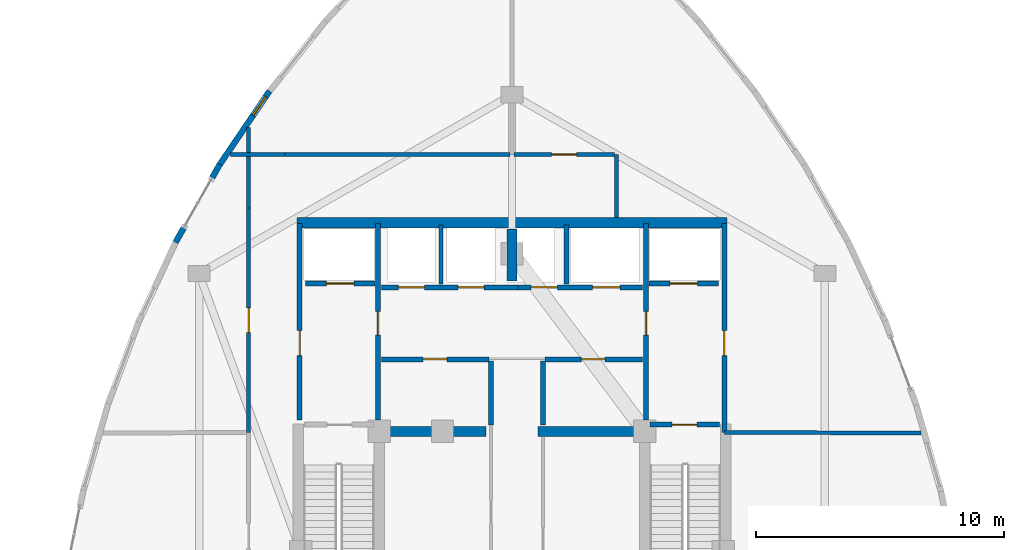
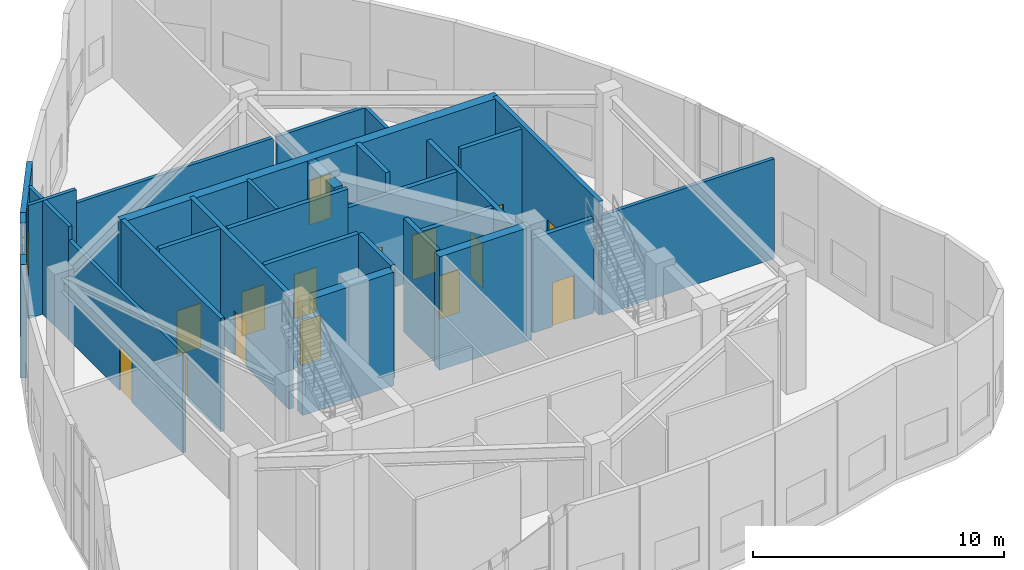
# One storey, part 13 of 16: 29 walls, 15 doors, 1 window, 16 openings.
"""IFC4 building model written with IfcOpenShell, lengths in metres."""

from ifc_helpers import new_model, si_unit, direction, frame, frame_2d, origin, place, context, subcontext, project, spatial, rectangle, extrude, material, layer, layer_set, type_object, element, fill, save


model = new_model("IFC4")

# Units and contexts
model_context = context("Model", 3, precision=1e-05, world=origin(), true_north=direction((0.0, 1.0)))
body_context = subcontext(model_context, "Body", "Model", "MODEL_VIEW")
ifc_project = project(units=[si_unit("LENGTHUNIT", "METRE"), si_unit("AREAUNIT", "SQUARE_METRE"), si_unit("VOLUMEUNIT", "CUBIC_METRE"), si_unit("PLANEANGLEUNIT", "RADIAN"), si_unit("MASSUNIT", "GRAM", prefix="KILO")], contexts=[model_context])

# Site, building, storey
site_placement = place(None, origin())
site = spatial("IfcSite", under=ifc_project, at=site_placement, CompositionType="ELEMENT")
building_placement = place(site_placement, origin())
building = spatial("IfcBuilding", under=site, at=building_placement, Name="Miruveldt Soraemaru", CompositionType="ELEMENT")
storey_placement = place(building_placement, frame((0.0, 0.0, 289.60009765625)))
storey = spatial("IfcBuildingStorey", under=building, at=storey_placement, Name="L78", CompositionType="ELEMENT", Elevation=289.60009765625)

# Walls
ifc_material_1 = material(Name="Concrete C70/85 (70 MPa)", Category="concrete")
ifc_layer_1 = layer(ifc_material_1, 0.5, Name="Concrete C70/85 (70 MPa)", Category="concrete")
ifc_layer_set_1 = layer_set([ifc_layer_1], Name="Concrete C70/85 (70 MPa)")
wall_type_1 = type_object("IfcWallType", Name="WALL-BW-500", PredefinedType="SHEAR", material=ifc_layer_set_1)
wall_1_placement = place(storey_placement, frame((44.0, 50.10009765625, 0.0), z_axis=(0.0, 0.0, 1.0), x_axis=(0.0, 1.0, 0.0)))
element("IfcWall", 1, at=wall_1_placement, inside=storey, type_object=wall_type_1, Name="L78 Core Buttress Shear Wall BN", PredefinedType="SHEAR", context=body_context, shape_type="SweptSolid", body=[
    extrude(rectangle(XDim=2.099853515625, YDim=0.39990234375, at=frame_2d((1.0498046875, 0.0))), origin(), (0.0, 0.0, 1.0), 5.510009765625),
])
for number, where, z_axis, x_axis, name in (
    (2, (38.75, 44.050048828125, 0.0), (0.0, 0.0, 1.0), (1.0, 0.0, 0.0), "L78 Core Buttress Shear Wall BW"),
    (3, (45.050048828125, 44.050048828125, 0.0), (0.0, 0.0, 1.0), (1.0, 0.0, 0.0), "L78 Core Buttress Shear Wall BE"),
):
    element("IfcWall", number, at=place(storey_placement, frame(where, z_axis=z_axis, x_axis=x_axis)), inside=storey, type_object=wall_type_1, Name=name, PredefinedType="SHEAR", context=body_context, shape_type="SweptSolid", body=[
        extrude(rectangle(XDim=4.199951171875, YDim=0.39990234375, at=frame_2d((2.10009765625, 0.0))), origin(), (0.0, 0.0, 1.0), 5.510009765625),
    ])
ifc_material_2 = material(Name="Concrete C50/60 (50 MPa)", Category="concrete")
ifc_layer_2 = layer(ifc_material_2, 0.419921875, Name="Concrete C50/60 (50 MPa)", Category="concrete")
ifc_layer_set_2 = layer_set([ifc_layer_2], Name="Concrete C50/60 (50 MPa)")
wall_type_2 = type_object("IfcWallType", Name="WALL-CW-420", PredefinedType="SHEAR", material=ifc_layer_set_2)
wall_2_placement = place(storey_placement, frame((35.35009765625, 52.449951171875, 0.0), z_axis=(0.0, 0.0, 1.0), x_axis=(1.0, 0.0, 0.0)))
element("IfcWall", 4, at=wall_2_placement, inside=storey, type_object=wall_type_2, Name="L78 Central Core Shear Wall N", PredefinedType="SHEAR", context=body_context, shape_type="SweptSolid", body=[
    extrude(rectangle(XDim=17.2998046875, YDim=0.419921875, at=frame_2d((8.64990234375, 0.0))), origin(), (0.0, 0.0, 1.0), 5.510009765625),
])

# Wall, opening, window
ifc_material_3 = material(Name="Precast concrete C45/55 (45 MPa)", Category="concrete")
ifc_layer_3 = layer(ifc_material_3, 0.239990234375, Name="Precast concrete C45/55 (45 MPa)", Category="concrete")
ifc_layer_set_3 = layer_set([ifc_layer_3], Name="Precast concrete C45/55 (45 MPa)")
wall_type_3 = type_object("IfcWallType", Name="WALL-EXT-PC240", PredefinedType="SOLIDWALL", material=ifc_layer_set_3)
wall_3_placement = place(storey_placement, frame((34.235595703125, 57.75, 0.0), z_axis=(0.0, 0.0, 1.0), x_axis=(-0.560836268371, -0.827926735937, 0.0)))
wall_3 = element("IfcWall", 5, at=wall_3_placement, inside=storey, type_object=wall_type_3, Name="L78 Precast Concrete Facade Wall 9", PredefinedType="SOLIDWALL", context=body_context, shape_type="SweptSolid", body=[
    extrude(rectangle(XDim=3.63623046875, YDim=0.239990234375, at=frame_2d((1.818115234375, 0.0))), origin(), (0.0, 0.0, 1.0), 5.510009765625),
])
opening_1_placement = place(wall_3_placement, frame((0.27392578125, 0.0, 0.780029296875)))
opening_1 = element("IfcOpeningElement", 6, at=opening_1_placement, cuts=wall_3, Name="Opening WN-7", PredefinedType="OPENING", context=body_context, shape_type="SweptSolid", body=[
    extrude(rectangle(XDim=0.89990234375, YDim=1.5, at=frame_2d((0.449951171875, 0.75))), frame((0.0, 0.1298828125, 0.0), z_axis=(0.0, -1.0, 0.0), x_axis=(1.0, 0.0, 0.0)), (0.0, 0.0, 1.0), 0.260009765625),
])
ifc_material_4 = material(Name="Triple low-e insulated glazing", Category="glass")
window_type = type_object("IfcWindowType", Name="WIN-PUNCH-900x1500", PartitioningType="SINGLE_PANEL", PredefinedType="WINDOW", material=ifc_material_4)
window_placement = place(opening_1_placement, origin())
window = element("IfcWindow", 7, at=window_placement, inside=storey, type_object=window_type, Name="L78 Punched Triple-Glazed Window 09.1", OverallHeight=1.5, OverallWidth=0.89990234375, PartitioningType="SINGLE_PANEL", PredefinedType="WINDOW", context=body_context, shape_type="SweptSolid", body=[
    extrude(rectangle(XDim=0.89990234375, YDim=1.5, at=frame_2d((0.449951171875, 0.75))), frame((0.0, 0.030029296875, 0.0), z_axis=(0.0, -1.0, 0.0), x_axis=(1.0, 0.0, 0.0)), (0.0, 0.0, 1.0), 0.06005859375),
])
fill(opening_1, window)

# Walls
wall_4_placement = place(storey_placement, frame((32.233154296875, 54.799072265625, 0.0), z_axis=(0.0, 0.0, 1.0), x_axis=(-0.493152373132, -0.869942950356, 0.0)))
element("IfcWall", 8, at=wall_4_placement, inside=storey, type_object=wall_type_3, Name="L78 Precast Pier Left 10", PredefinedType="SOLIDWALL", context=body_context, shape_type="SweptSolid", body=[
    extrude(rectangle(XDim=0.705078125, YDim=0.239990234375, at=frame_2d((0.3525390625, 0.0))), origin(), (0.0, 0.0, 1.0), 5.510009765625),
])
wall_5_placement = place(storey_placement, frame((30.818603515625, 52.30517578125, 0.0), z_axis=(0.0, 0.0, 1.0), x_axis=(-0.493317939961, -0.86984907318, 0.0)))
element("IfcWall", 9, at=wall_5_placement, inside=storey, type_object=wall_type_3, Name="L78 Precast Pier Right 10", PredefinedType="SOLIDWALL", context=body_context, shape_type="SweptSolid", body=[
    extrude(rectangle(XDim=0.746337890625, YDim=0.239990234375, at=frame_2d((0.373046875, 0.0))), origin(), (0.0, 0.0, 1.0), 5.510009765625),
])

# Wall, opening, door
ifc_material_5 = material(Name="Concrete C40/50 (40 MPa)", Category="concrete")
ifc_layer_4 = layer(ifc_material_5, 0.159912109375, Name="Concrete C40/50 (40 MPa)", Category="concrete")
ifc_layer_set_4 = layer_set([ifc_layer_4], Name="Concrete C40/50 (40 MPa)")
wall_type_4 = type_object("IfcWallType", Name="WALL-INT-RC160", PredefinedType="SOLIDWALL", material=ifc_layer_set_4)
wall_6_placement = place(storey_placement, frame((33.39990234375, 53.050048828125, 0.0), z_axis=(0.0, 0.0, 1.0), x_axis=(0.0, -1.0, 0.0)))
wall_6 = element("IfcWall", 10, at=wall_6_placement, inside=storey, type_object=wall_type_4, Name="L78 Partition Wall 15", PredefinedType="SOLIDWALL", context=body_context, shape_type="SweptSolid", body=[
    extrude(rectangle(XDim=9.050048828125, YDim=0.159912109375, at=frame_2d((4.52490234375, 0.0))), origin(), (0.0, 0.0, 1.0), 4.847900390625),
])
opening_2_placement = place(wall_6_placement, frame((4.02490234375, 0.0, 0.0)))
opening_2 = element("IfcOpeningElement", 11, at=opening_2_placement, cuts=wall_6, Name="Opening FD2A", PredefinedType="OPENING", context=body_context, shape_type="SweptSolid", body=[
    extrude(rectangle(XDim=1.0, YDim=2.14990234375, at=frame_2d((0.5, 1.074951171875))), frame((0.0, 0.08984375, 0.0), z_axis=(0.0, -1.0, 0.0), x_axis=(1.0, 0.0, 0.0)), (0.0, 0.0, 1.0), 0.179931640625),
])
ifc_material_6 = material(Name="Anodised aluminium EN AW-6063 T6", Category="aluminium")
door_type_1 = type_object("IfcDoorType", Name="DOOR-FD2-1000", OperationType="NOTDEFINED", PredefinedType="DOOR", material=ifc_material_6)
door_1_placement = place(opening_2_placement, origin())
door_1 = element("IfcDoor", 12, at=door_1_placement, inside=storey, type_object=door_type_1, Name="L78 West Bay Exhibition Salon Door", OperationType="SINGLE_SWING_RIGHT", OverallHeight=2.14990234375, OverallWidth=1.0, PredefinedType="DOOR", context=body_context, shape_type="SweptSolid", body=[
    extrude(rectangle(XDim=1.0, YDim=2.14990234375, at=frame_2d((0.5, 1.074951171875))), frame((0.0, 0.02490234375, 0.0), z_axis=(0.0, -1.0, 0.0), x_axis=(1.0, 0.0, 0.0)), (0.0, 0.0, 1.0), 0.050048828125),
])
fill(opening_2, door_1)

wall_7_placement = place(storey_placement, frame((48.1201171875, 55.199951171875, 0.0), z_axis=(0.0, 0.0, 1.0), x_axis=(-1.0, 0.0, 0.0)))
wall_7 = element("IfcWall", 13, at=wall_7_placement, inside=storey, type_object=wall_type_4, Name="L78 Partition Wall 17", PredefinedType="SOLIDWALL", context=body_context, shape_type="SweptSolid", body=[
    extrude(rectangle(XDim=4.0400390625, YDim=0.159912109375, at=frame_2d((2.02001953125, 0.0))), origin(), (0.0, 0.0, 1.0), 4.847900390625),
])
opening_3_placement = place(wall_7_placement, frame((1.52001953125, 0.0, 0.0)))
opening_3 = element("IfcOpeningElement", 14, at=opening_3_placement, cuts=wall_7, Name="Opening FD2A", PredefinedType="OPENING", context=body_context, shape_type="SweptSolid", body=[
    extrude(rectangle(XDim=1.0, YDim=2.14990234375, at=frame_2d((0.5, 1.074951171875))), frame((0.0, 0.08984375, 0.0), z_axis=(0.0, -1.0, 0.0), x_axis=(1.0, 0.0, 0.0)), (0.0, 0.0, 1.0), 0.179931640625),
])
door_2_placement = place(opening_3_placement, origin())
door_2 = element("IfcDoor", 15, at=door_2_placement, inside=storey, type_object=door_type_1, Name="L78 North Lookout Interpretation Room Door", OperationType="SINGLE_SWING_LEFT", OverallHeight=2.14990234375, OverallWidth=1.0, PredefinedType="DOOR", context=body_context, shape_type="SweptSolid", body=[
    extrude(rectangle(XDim=1.0, YDim=2.14990234375, at=frame_2d((0.5, 1.074951171875))), frame((0.0, 0.02490234375, 0.0), z_axis=(0.0, -1.0, 0.0), x_axis=(1.0, 0.0, 0.0)), (0.0, 0.0, 1.0), 0.050048828125),
])
fill(opening_3, door_2)

# Walls
wall_8_placement = place(storey_placement, frame((43.919921875, 55.199951171875, 0.0), z_axis=(0.0, 0.0, 1.0), x_axis=(-1.0, 0.0, 0.0)))
element("IfcWall", 16, at=wall_8_placement, inside=storey, type_object=wall_type_4, Name="L78 Partition Wall 12", PredefinedType="SOLIDWALL", context=body_context, shape_type="SweptSolid", body=[
    extrude(rectangle(XDim=9.0498046875, YDim=0.159912109375, at=frame_2d((4.52490234375, 0.0))), origin(), (0.0, 0.0, 1.0), 4.847900390625),
])
wall_9_placement = place(storey_placement, frame((60.4609375, 43.985107421875, 0.0), z_axis=(0.0, 0.0, 1.0), x_axis=(-0.999997925631, 0.002036844215, 0.0)))
element("IfcWall", 17, at=wall_9_placement, inside=storey, type_object=wall_type_4, Name="L78 Partition Wall 26", PredefinedType="SOLIDWALL", context=body_context, shape_type="SweptSolid", body=[
    extrude(rectangle(XDim=7.910888671875, YDim=0.159912109375, at=frame_2d((3.95556640625, 0.0))), origin(), (0.0, 0.0, 1.0), 4.847900390625),
])
wall_10_placement = place(storey_placement, frame((33.39990234375, 56.27587890625, 0.0), z_axis=(0.0, 0.0, 1.0), x_axis=(0.0, -1.0, 0.0)))
element("IfcWall", 18, at=wall_10_placement, inside=storey, type_object=wall_type_4, Name="L78 Partition Wall 14", PredefinedType="SOLIDWALL", context=body_context, shape_type="SweptSolid", body=[
    extrude(rectangle(XDim=3.225830078125, YDim=0.159912109375, at=frame_2d((1.61279296875, 0.0))), origin(), (0.0, 0.0, 1.0), 5.510009765625),
])
wall_11_placement = place(storey_placement, frame((48.199951171875, 52.656005859375, 0.0), z_axis=(0.0, 0.0, 1.0), x_axis=(0.0, 1.0, 0.0)))
element("IfcWall", 19, at=wall_11_placement, inside=storey, type_object=wall_type_4, Name="L78 Partition Wall 16", PredefinedType="SOLIDWALL", context=body_context, shape_type="SweptSolid", body=[
    extrude(rectangle(XDim=2.5439453125, YDim=0.159912109375, at=frame_2d((1.27197265625, 0.0))), origin(), (0.0, 0.0, 1.0), 4.847900390625),
])
wall_12_placement = place(storey_placement, frame((41.14990234375, 49.97998046875, 0.0), z_axis=(0.0, 0.0, 1.0), x_axis=(0.0, 1.0, 0.0)))
element("IfcWall", 20, at=wall_12_placement, inside=storey, type_object=wall_type_4, Name="L78 Core Compartment Wall PLH-DIV1", PredefinedType="SOLIDWALL", context=body_context, shape_type="SweptSolid", body=[
    extrude(rectangle(XDim=2.3701171875, YDim=0.159912109375, at=frame_2d((1.18505859375, 0.0))), origin(), (0.0, 0.0, 1.0), 5.510009765625),
])
wall_13_placement = place(storey_placement, frame((34.8701171875, 55.199951171875, 0.0), z_axis=(0.0, 0.0, 1.0), x_axis=(-1.0, 0.0, 0.0)))
element("IfcWall", 21, at=wall_13_placement, inside=storey, type_object=wall_type_4, Name="L78 Partition Wall 13", PredefinedType="SOLIDWALL", context=body_context, shape_type="SweptSolid", body=[
    extrude(rectangle(XDim=2.19921875, YDim=0.159912109375, at=frame_2d((1.099609375, 0.0))), origin(), (0.0, 0.0, 1.0), 5.510009765625),
])

# Wall, opening, door
ifc_layer_5 = layer(ifc_material_5, 0.199951171875, Name="Concrete C40/50 (40 MPa)", Category="concrete")
ifc_layer_set_5 = layer_set([ifc_layer_5], Name="Concrete C40/50 (40 MPa)")
wall_type_5 = type_object("IfcWallType", Name="WALL-INT-RC200", PredefinedType="SOLIDWALL", material=ifc_layer_set_5)
wall_14_placement = place(storey_placement, frame((52.550048828125, 44.001220703125, 0.0), z_axis=(0.0, 0.0, 1.0), x_axis=(0.0, 1.0, 0.0)))
wall_14 = element("IfcWall", 22, at=wall_14_placement, inside=storey, type_object=wall_type_5, Name="L78 Core Compartment Wall FFE-OUT", PredefinedType="SOLIDWALL", context=body_context, shape_type="SweptSolid", body=[
    extrude(rectangle(XDim=8.418701171875, YDim=0.199951171875, at=frame_2d((4.20947265625, 0.0))), origin(), (0.0, 0.0, 1.0), 5.510009765625),
])
opening_4_placement = place(wall_14_placement, frame((3.09912109375, 0.0, 0.0)))
opening_4 = element("IfcOpeningElement", 23, at=opening_4_placement, cuts=wall_14, Name="Opening FD1", PredefinedType="OPENING", context=body_context, shape_type="SweptSolid", body=[
    extrude(rectangle(XDim=1.0, YDim=2.14990234375, at=frame_2d((0.5, 1.074951171875))), frame((0.0, 0.10986328125, 0.0), z_axis=(0.0, -1.0, 0.0), x_axis=(1.0, 0.0, 0.0)), (0.0, 0.0, 1.0), 0.219970703125),
])
door_type_2 = type_object("IfcDoorType", Name="DOOR-FD1-1000", OperationType="NOTDEFINED", PredefinedType="DOOR", material=ifc_material_6)
door_3_placement = place(opening_4_placement, frame((1.0, 0.0, 0.0), z_axis=(0.0, 0.0, 1.0), x_axis=(-1.0, 0.0, 0.0)))
door_3 = element("IfcDoor", 24, at=door_3_placement, inside=storey, type_object=door_type_2, Name="L78 East Firefighting Lobby Exit Door", OperationType="SINGLE_SWING_RIGHT", OverallHeight=2.14990234375, OverallWidth=1.0, PredefinedType="DOOR", context=body_context, shape_type="SweptSolid", body=[
    extrude(rectangle(XDim=1.0, YDim=2.14990234375, at=frame_2d((0.5, 1.074951171875))), frame((0.0, 0.02490234375, 0.0), z_axis=(0.0, -1.0, 0.0), x_axis=(1.0, 0.0, 0.0)), (0.0, 0.0, 1.0), 0.050048828125),
])
fill(opening_4, door_3)

wall_15_placement = place(storey_placement, frame((35.449951171875, 44.5, 0.0), z_axis=(0.0, 0.0, 1.0), x_axis=(0.0, 1.0, 0.0)))
wall_15 = element("IfcWall", 25, at=wall_15_placement, inside=storey, type_object=wall_type_5, Name="L78 Core Compartment Wall FFW-OUT", PredefinedType="SOLIDWALL", context=body_context, shape_type="SweptSolid", body=[
    extrude(rectangle(XDim=7.919921875, YDim=0.199951171875, at=frame_2d((3.9599609375, 0.0))), origin(), (0.0, 0.0, 1.0), 5.510009765625),
])
opening_5_placement = place(wall_15_placement, frame((2.60009765625, 0.0, 0.0)))
opening_5 = element("IfcOpeningElement", 26, at=opening_5_placement, cuts=wall_15, Name="Opening FD1", PredefinedType="OPENING", context=body_context, shape_type="SweptSolid", body=[
    extrude(rectangle(XDim=1.0, YDim=2.14990234375, at=frame_2d((0.5, 1.074951171875))), frame((0.0, 0.10986328125, 0.0), z_axis=(0.0, -1.0, 0.0), x_axis=(1.0, 0.0, 0.0)), (0.0, 0.0, 1.0), 0.219970703125),
])
door_4_placement = place(opening_5_placement, origin())
door_4 = element("IfcDoor", 27, at=door_4_placement, inside=storey, type_object=door_type_2, Name="L78 West Firefighting Lobby Exit Door", OperationType="SINGLE_SWING_LEFT", OverallHeight=2.14990234375, OverallWidth=1.0, PredefinedType="DOOR", context=body_context, shape_type="SweptSolid", body=[
    extrude(rectangle(XDim=1.0, YDim=2.14990234375, at=frame_2d((0.5, 1.074951171875))), frame((0.0, 0.02490234375, 0.0), z_axis=(0.0, -1.0, 0.0), x_axis=(1.0, 0.0, 0.0)), (0.0, 0.0, 1.0), 0.050048828125),
])
fill(opening_5, door_4)

wall_16_placement = place(storey_placement, frame((38.60009765625, 44.5, 0.0), z_axis=(0.0, 0.0, 1.0), x_axis=(0.0, 1.0, 0.0)))
wall_16 = element("IfcWall", 28, at=wall_16_placement, inside=storey, type_object=wall_type_5, Name="L78 Core Compartment Wall FFW-IN", PredefinedType="SOLIDWALL", context=body_context, shape_type="SweptSolid", body=[
    extrude(rectangle(XDim=7.919921875, YDim=0.199951171875, at=frame_2d((3.9599609375, 0.0))), origin(), (0.0, 0.0, 1.0), 5.510009765625),
])
opening_6_placement = place(wall_16_placement, frame((3.425048828125, 0.0, 0.0)))
opening_6 = element("IfcOpeningElement", 29, at=opening_6_placement, cuts=wall_16, Name="Opening FD2", PredefinedType="OPENING", context=body_context, shape_type="SweptSolid", body=[
    extrude(rectangle(XDim=0.949951171875, YDim=2.14990234375, at=frame_2d((0.47509765625, 1.074951171875))), frame((0.0, 0.10986328125, 0.0), z_axis=(0.0, -1.0, 0.0), x_axis=(1.0, 0.0, 0.0)), (0.0, 0.0, 1.0), 0.219970703125),
])
door_type_3 = type_object("IfcDoorType", Name="DOOR-FD2-950", OperationType="NOTDEFINED", PredefinedType="DOOR", material=ifc_material_6)
door_5_placement = place(opening_6_placement, frame((0.949951171875, 0.0, 0.0), z_axis=(0.0, 0.0, 1.0), x_axis=(-1.0, 0.0, 0.0)))
door_5 = element("IfcDoor", 30, at=door_5_placement, inside=storey, type_object=door_type_3, Name="L78 Lift Lobby to West Fire Lobby Door", OperationType="SINGLE_SWING_RIGHT", OverallHeight=2.14990234375, OverallWidth=0.949951171875, PredefinedType="DOOR", context=body_context, shape_type="SweptSolid", body=[
    extrude(rectangle(XDim=0.949951171875, YDim=2.14990234375, at=frame_2d((0.47509765625, 1.074951171875))), frame((0.0, 0.02490234375, 0.0), z_axis=(0.0, -1.0, 0.0), x_axis=(1.0, 0.0, 0.0)), (0.0, 0.0, 1.0), 0.050048828125),
])
fill(opening_6, door_5)

wall_17_placement = place(storey_placement, frame((49.39990234375, 44.5, 0.0), z_axis=(0.0, 0.0, 1.0), x_axis=(0.0, 1.0, 0.0)))
wall_17 = element("IfcWall", 31, at=wall_17_placement, inside=storey, type_object=wall_type_5, Name="L78 Core Compartment Wall FFE-IN", PredefinedType="SOLIDWALL", context=body_context, shape_type="SweptSolid", body=[
    extrude(rectangle(XDim=7.919921875, YDim=0.199951171875, at=frame_2d((3.9599609375, 0.0))), origin(), (0.0, 0.0, 1.0), 4.597900390625),
])
opening_7_placement = place(wall_17_placement, frame((3.425048828125, 0.0, 0.0)))
opening_7 = element("IfcOpeningElement", 32, at=opening_7_placement, cuts=wall_17, Name="Opening FD2", PredefinedType="OPENING", context=body_context, shape_type="SweptSolid", body=[
    extrude(rectangle(XDim=0.949951171875, YDim=2.14990234375, at=frame_2d((0.47509765625, 1.074951171875))), frame((0.0, 0.10986328125, 0.0), z_axis=(0.0, -1.0, 0.0), x_axis=(1.0, 0.0, 0.0)), (0.0, 0.0, 1.0), 0.219970703125),
])
door_6_placement = place(opening_7_placement, origin())
door_6 = element("IfcDoor", 33, at=door_6_placement, inside=storey, type_object=door_type_3, Name="L78 Lift Lobby to East Fire Lobby Door", OperationType="SINGLE_SWING_LEFT", OverallHeight=2.14990234375, OverallWidth=0.949951171875, PredefinedType="DOOR", context=body_context, shape_type="SweptSolid", body=[
    extrude(rectangle(XDim=0.949951171875, YDim=2.14990234375, at=frame_2d((0.47509765625, 1.074951171875))), frame((0.0, 0.02490234375, 0.0), z_axis=(0.0, -1.0, 0.0), x_axis=(1.0, 0.0, 0.0)), (0.0, 0.0, 1.0), 0.050048828125),
])
fill(opening_7, door_6)

# Wall, openings, doors
wall_18_placement = place(storey_placement, frame((38.75, 49.85009765625, 0.0), z_axis=(0.0, 0.0, 1.0), x_axis=(1.0, 0.0, 0.0)))
wall_18 = element("IfcWall", 34, at=wall_18_placement, inside=storey, type_object=wall_type_5, Name="L78 Core Compartment Wall ROWA-SW", PredefinedType="SOLIDWALL", context=body_context, shape_type="SweptSolid", body=[
    extrude(rectangle(XDim=5.5, YDim=0.199951171875, at=frame_2d((2.75, 0.0))), origin(), (0.0, 0.0, 1.0), 5.510009765625),
])
opening_8_placement = place(wall_18_placement, frame((0.675048828125, 0.0, 0.0)))
opening_8 = element("IfcOpeningElement", 35, at=opening_8_placement, cuts=wall_18, Name="Opening LD1", PredefinedType="OPENING", context=body_context, shape_type="SweptSolid", body=[
    extrude(rectangle(XDim=1.050048828125, YDim=2.14990234375, at=frame_2d((0.52490234375, 1.074951171875))), frame((0.0, 0.10986328125, 0.0), z_axis=(0.0, -1.0, 0.0), x_axis=(1.0, 0.0, 0.0)), (0.0, 0.0, 1.0), 0.219970703125),
])
opening_9_placement = place(wall_18_placement, frame((3.074951171875, 0.0, 0.0)))
opening_9 = element("IfcOpeningElement", 36, at=opening_9_placement, cuts=wall_18, Name="Opening LD1", PredefinedType="OPENING", context=body_context, shape_type="SweptSolid", body=[
    extrude(rectangle(XDim=1.050048828125, YDim=2.14990234375, at=frame_2d((0.52490234375, 1.074951171875))), frame((0.0, 0.10986328125, 0.0), z_axis=(0.0, -1.0, 0.0), x_axis=(1.0, 0.0, 0.0)), (0.0, 0.0, 1.0), 0.219970703125),
])
door_type_4 = type_object("IfcDoorType", Name="DOOR-LD1-1050", OperationType="SLIDING_TO_LEFT", PredefinedType="DOOR", material=ifc_material_6)
door_7_placement = place(opening_8_placement, origin())
door_7 = element("IfcDoor", 37, at=door_7_placement, inside=storey, type_object=door_type_4, Name="L78 PL-H1 Landing Door", OperationType="SLIDING_TO_LEFT", OverallHeight=2.14990234375, OverallWidth=1.050048828125, PredefinedType="DOOR", context=body_context, shape_type="SweptSolid", body=[
    extrude(rectangle(XDim=1.050048828125, YDim=2.14990234375, at=frame_2d((0.52490234375, 1.074951171875))), frame((0.0, 0.02490234375, 0.0), z_axis=(0.0, -1.0, 0.0), x_axis=(1.0, 0.0, 0.0)), (0.0, 0.0, 1.0), 0.050048828125),
])
fill(opening_8, door_7)
door_8_placement = place(opening_9_placement, origin())
door_8 = element("IfcDoor", 38, at=door_8_placement, inside=storey, type_object=door_type_4, Name="L78 PL-H2 Landing Door", OperationType="SLIDING_TO_LEFT", OverallHeight=2.14990234375, OverallWidth=1.050048828125, PredefinedType="DOOR", context=body_context, shape_type="SweptSolid", body=[
    extrude(rectangle(XDim=1.050048828125, YDim=2.14990234375, at=frame_2d((0.52490234375, 1.074951171875))), frame((0.0, 0.02490234375, 0.0), z_axis=(0.0, -1.0, 0.0), x_axis=(1.0, 0.0, 0.0)), (0.0, 0.0, 1.0), 0.050048828125),
])
fill(opening_9, door_8)

wall_19_placement = place(storey_placement, frame((44.25, 49.85009765625, 0.0), z_axis=(0.0, 0.0, 1.0), x_axis=(1.0, 0.0, 0.0)))
wall_19 = element("IfcWall", 39, at=wall_19_placement, inside=storey, type_object=wall_type_5, Name="L78 Core Compartment Wall ROWA-SE", PredefinedType="SOLIDWALL", context=body_context, shape_type="SweptSolid", body=[
    extrude(rectangle(XDim=5.0, YDim=0.199951171875, at=frame_2d((2.5, 0.0))), origin(), (0.0, 0.0, 1.0), 4.597900390625),
])
opening_10_placement = place(wall_19_placement, frame((0.52490234375, 0.0, 0.0)))
opening_10 = element("IfcOpeningElement", 40, at=opening_10_placement, cuts=wall_19, Name="Opening LD1", PredefinedType="OPENING", context=body_context, shape_type="SweptSolid", body=[
    extrude(rectangle(XDim=1.050048828125, YDim=2.14990234375, at=frame_2d((0.52490234375, 1.074951171875))), frame((0.0, 0.10986328125, 0.0), z_axis=(0.0, -1.0, 0.0), x_axis=(1.0, 0.0, 0.0)), (0.0, 0.0, 1.0), 0.219970703125),
])
opening_11_placement = place(wall_19_placement, frame((3.0, 0.0, 0.0)))
opening_11 = element("IfcOpeningElement", 41, at=opening_11_placement, cuts=wall_19, Name="Opening LD2", PredefinedType="OPENING", context=body_context, shape_type="SweptSolid", body=[
    extrude(rectangle(XDim=1.10009765625, YDim=2.14990234375, at=frame_2d((0.550048828125, 1.074951171875))), frame((0.0, 0.10986328125, 0.0), z_axis=(0.0, -1.0, 0.0), x_axis=(1.0, 0.0, 0.0)), (0.0, 0.0, 1.0), 0.219970703125),
])
door_9_placement = place(opening_10_placement, origin())
door_9 = element("IfcDoor", 42, at=door_9_placement, inside=storey, type_object=door_type_4, Name="L78 PL-H3 Landing Door", OperationType="SLIDING_TO_LEFT", OverallHeight=2.14990234375, OverallWidth=1.050048828125, PredefinedType="DOOR", context=body_context, shape_type="SweptSolid", body=[
    extrude(rectangle(XDim=1.050048828125, YDim=2.14990234375, at=frame_2d((0.52490234375, 1.074951171875))), frame((0.0, 0.02490234375, 0.0), z_axis=(0.0, -1.0, 0.0), x_axis=(1.0, 0.0, 0.0)), (0.0, 0.0, 1.0), 0.050048828125),
])
fill(opening_10, door_9)
door_type_5 = type_object("IfcDoorType", Name="DOOR-LD2-1100", OperationType="SLIDING_TO_LEFT", PredefinedType="DOOR", material=ifc_material_6)
door_10_placement = place(opening_11_placement, origin())
door_10 = element("IfcDoor", 43, at=door_10_placement, inside=storey, type_object=door_type_5, Name="L78 SL-1 Landing Door", OperationType="SLIDING_TO_LEFT", OverallHeight=2.14990234375, OverallWidth=1.10009765625, PredefinedType="DOOR", context=body_context, shape_type="SweptSolid", body=[
    extrude(rectangle(XDim=1.10009765625, YDim=2.14990234375, at=frame_2d((0.550048828125, 1.074951171875))), frame((0.0, 0.02490234375, 0.0), z_axis=(0.0, -1.0, 0.0), x_axis=(1.0, 0.0, 0.0)), (0.0, 0.0, 1.0), 0.050048828125),
])
fill(opening_11, door_10)

# Wall, opening, door
wall_20_placement = place(storey_placement, frame((38.75, 46.949951171875, 0.0), z_axis=(0.0, 0.0, 1.0), x_axis=(1.0, 0.0, 0.0)))
wall_20 = element("IfcWall", 44, at=wall_20_placement, inside=storey, type_object=wall_type_5, Name="L78 Core Compartment Wall MBW-N", PredefinedType="SOLIDWALL", context=body_context, shape_type="SweptSolid", body=[
    extrude(rectangle(XDim=4.330078125, YDim=0.199951171875, at=frame_2d((2.1650390625, 0.0))), origin(), (0.0, 0.0, 1.0), 5.510009765625),
])
opening_12_placement = place(wall_20_placement, frame((1.675048828125, 0.0, 0.0)))
opening_12 = element("IfcOpeningElement", 45, at=opening_12_placement, cuts=wall_20, Name="Opening D2", PredefinedType="OPENING", context=body_context, shape_type="SweptSolid", body=[
    extrude(rectangle(XDim=0.949951171875, YDim=2.10009765625, at=frame_2d((0.47509765625, 1.050048828125))), frame((0.0, 0.10986328125, 0.0), z_axis=(0.0, -1.0, 0.0), x_axis=(1.0, 0.0, 0.0)), (0.0, 0.0, 1.0), 0.219970703125),
])
door_type_6 = type_object("IfcDoorType", Name="DOOR-INT-950", OperationType="NOTDEFINED", PredefinedType="DOOR", material=ifc_material_6)
door_11_placement = place(opening_12_placement, origin())
door_11 = element("IfcDoor", 46, at=door_11_placement, inside=storey, type_object=door_type_6, Name="L78 Fire Door", OperationType="SINGLE_SWING_LEFT", OverallHeight=2.10009765625, OverallWidth=0.949951171875, PredefinedType="DOOR", context=body_context, shape_type="SweptSolid", body=[
    extrude(rectangle(XDim=0.949951171875, YDim=2.10009765625, at=frame_2d((0.47509765625, 1.050048828125))), frame((0.0, 0.02490234375, 0.0), z_axis=(0.0, -1.0, 0.0), x_axis=(1.0, 0.0, 0.0)), (0.0, 0.0, 1.0), 0.050048828125),
])
fill(opening_12, door_11)

wall_21_placement = place(storey_placement, frame((45.320068359375, 46.949951171875, 0.0), z_axis=(0.0, 0.0, 1.0), x_axis=(1.0, 0.0, 0.0)))
wall_21 = element("IfcWall", 47, at=wall_21_placement, inside=storey, type_object=wall_type_5, Name="L78 Core Compartment Wall MBE-N", PredefinedType="SOLIDWALL", context=body_context, shape_type="SweptSolid", body=[
    extrude(rectangle(XDim=3.929931640625, YDim=0.199951171875, at=frame_2d((1.96484375, 0.0))), origin(), (0.0, 0.0, 1.0), 4.597900390625),
])
opening_13_placement = place(wall_21_placement, frame((1.47509765625, 0.0, 0.0)))
opening_13 = element("IfcOpeningElement", 48, at=opening_13_placement, cuts=wall_21, Name="Opening D2", PredefinedType="OPENING", context=body_context, shape_type="SweptSolid", body=[
    extrude(rectangle(XDim=0.949951171875, YDim=2.10009765625, at=frame_2d((0.47509765625, 1.050048828125))), frame((0.0, 0.10986328125, 0.0), z_axis=(0.0, -1.0, 0.0), x_axis=(1.0, 0.0, 0.0)), (0.0, 0.0, 1.0), 0.219970703125),
])
door_12_placement = place(opening_13_placement, origin())
door_12 = element("IfcDoor", 49, at=door_12_placement, inside=storey, type_object=door_type_6, Name="L78 Fire Door", OperationType="SINGLE_SWING_LEFT", OverallHeight=2.10009765625, OverallWidth=0.949951171875, PredefinedType="DOOR", context=body_context, shape_type="SweptSolid", body=[
    extrude(rectangle(XDim=0.949951171875, YDim=2.10009765625, at=frame_2d((0.47509765625, 1.050048828125))), frame((0.0, 0.02490234375, 0.0), z_axis=(0.0, -1.0, 0.0), x_axis=(1.0, 0.0, 0.0)), (0.0, 0.0, 1.0), 0.050048828125),
])
fill(opening_13, door_12)

wall_22_placement = place(storey_placement, frame((49.550048828125, 44.320068359375, 0.0), z_axis=(0.0, 0.0, 1.0), x_axis=(1.0, 0.0, 0.0)))
wall_22 = element("IfcWall", 50, at=wall_22_placement, inside=storey, type_object=wall_type_5, Name="L78 Core Compartment Wall ST2-N", PredefinedType="SOLIDWALL", context=body_context, shape_type="SweptSolid", body=[
    extrude(rectangle(XDim=2.800048828125, YDim=0.199951171875, at=frame_2d((1.39990234375, 0.0))), origin(), (0.0, 0.0, 1.0), 4.597900390625),
])
opening_14_placement = place(wall_22_placement, frame((0.89990234375, 0.0, 0.0)))
opening_14 = element("IfcOpeningElement", 51, at=opening_14_placement, cuts=wall_22, Name="Opening FD1", PredefinedType="OPENING", context=body_context, shape_type="SweptSolid", body=[
    extrude(rectangle(XDim=1.0, YDim=2.14990234375, at=frame_2d((0.5, 1.074951171875))), frame((0.0, 0.10986328125, 0.0), z_axis=(0.0, -1.0, 0.0), x_axis=(1.0, 0.0, 0.0)), (0.0, 0.0, 1.0), 0.219970703125),
])
door_13_placement = place(opening_14_placement, frame((1.0, 0.0, 0.0), z_axis=(0.0, 0.0, 1.0), x_axis=(-1.0, 0.0, 0.0)))
door_13 = element("IfcDoor", 52, at=door_13_placement, inside=storey, type_object=door_type_2, Name="L78 Stair ST-2 Fire Door", OperationType="SINGLE_SWING_RIGHT", OverallHeight=2.14990234375, OverallWidth=1.0, PredefinedType="DOOR", context=body_context, shape_type="SweptSolid", body=[
    extrude(rectangle(XDim=1.0, YDim=2.14990234375, at=frame_2d((0.5, 1.074951171875))), frame((0.0, 0.02490234375, 0.0), z_axis=(0.0, -1.0, 0.0), x_axis=(1.0, 0.0, 0.0)), (0.0, 0.0, 1.0), 0.050048828125),
])
fill(opening_14, door_13)

wall_23_placement = place(storey_placement, frame((35.679931640625, 50.0, 0.0), z_axis=(0.0, 0.0, 1.0), x_axis=(1.0, 0.0, 0.0)))
wall_23 = element("IfcWall", 53, at=wall_23_placement, inside=storey, type_object=wall_type_5, Name="L78 Core Compartment Wall FFL1-S", PredefinedType="SOLIDWALL", context=body_context, shape_type="SweptSolid", body=[
    extrude(rectangle(XDim=2.800048828125, YDim=0.199951171875, at=frame_2d((1.39990234375, 0.0))), origin(), (0.0, 0.0, 1.0), 5.510009765625),
])
opening_15_placement = place(wall_23_placement, frame((0.85009765625, 0.0, 0.0)))
opening_15 = element("IfcOpeningElement", 54, at=opening_15_placement, cuts=wall_23, Name="Opening LD2", PredefinedType="OPENING", context=body_context, shape_type="SweptSolid", body=[
    extrude(rectangle(XDim=1.10009765625, YDim=2.14990234375, at=frame_2d((0.550048828125, 1.074951171875))), frame((0.0, 0.10986328125, 0.0), z_axis=(0.0, -1.0, 0.0), x_axis=(1.0, 0.0, 0.0)), (0.0, 0.0, 1.0), 0.219970703125),
])
door_14_placement = place(opening_15_placement, origin())
door_14 = element("IfcDoor", 55, at=door_14_placement, inside=storey, type_object=door_type_5, Name="L78 FFL-1 Landing Door", OperationType="SLIDING_TO_LEFT", OverallHeight=2.14990234375, OverallWidth=1.10009765625, PredefinedType="DOOR", context=body_context, shape_type="SweptSolid", body=[
    extrude(rectangle(XDim=1.10009765625, YDim=2.14990234375, at=frame_2d((0.550048828125, 1.074951171875))), frame((0.0, 0.02490234375, 0.0), z_axis=(0.0, -1.0, 0.0), x_axis=(1.0, 0.0, 0.0)), (0.0, 0.0, 1.0), 0.050048828125),
])
fill(opening_15, door_14)

wall_24_placement = place(storey_placement, frame((49.52001953125, 50.0, 0.0), z_axis=(0.0, 0.0, 1.0), x_axis=(1.0, 0.0, 0.0)))
wall_24 = element("IfcWall", 56, at=wall_24_placement, inside=storey, type_object=wall_type_5, Name="L78 Core Compartment Wall FFL2-S", PredefinedType="SOLIDWALL", context=body_context, shape_type="SweptSolid", body=[
    extrude(rectangle(XDim=2.800048828125, YDim=0.199951171875, at=frame_2d((1.39990234375, 0.0))), origin(), (0.0, 0.0, 1.0), 5.510009765625),
])
opening_16_placement = place(wall_24_placement, frame((0.85009765625, 0.0, 0.0)))
opening_16 = element("IfcOpeningElement", 57, at=opening_16_placement, cuts=wall_24, Name="Opening LD2", PredefinedType="OPENING", context=body_context, shape_type="SweptSolid", body=[
    extrude(rectangle(XDim=1.10009765625, YDim=2.14990234375, at=frame_2d((0.550048828125, 1.074951171875))), frame((0.0, 0.10986328125, 0.0), z_axis=(0.0, -1.0, 0.0), x_axis=(1.0, 0.0, 0.0)), (0.0, 0.0, 1.0), 0.219970703125),
])
door_15_placement = place(opening_16_placement, origin())
door_15 = element("IfcDoor", 58, at=door_15_placement, inside=storey, type_object=door_type_5, Name="L78 FFL-2 Landing Door", OperationType="SLIDING_TO_LEFT", OverallHeight=2.14990234375, OverallWidth=1.10009765625, PredefinedType="DOOR", context=body_context, shape_type="SweptSolid", body=[
    extrude(rectangle(XDim=1.10009765625, YDim=2.14990234375, at=frame_2d((0.550048828125, 1.074951171875))), frame((0.0, 0.02490234375, 0.0), z_axis=(0.0, -1.0, 0.0), x_axis=(1.0, 0.0, 0.0)), (0.0, 0.0, 1.0), 0.050048828125),
])
fill(opening_16, door_15)

# Walls
for number, where, z_axis, x_axis, name in (
    (59, (43.14990234375, 44.300048828125, 0.0), (0.0, 0.0, 1.0), (0.0, 1.0, 0.0), "L78 Core Compartment Wall SP-WB"),
    (60, (45.25, 44.300048828125, 0.0), (0.0, 0.0, 1.0), (0.0, 1.0, 0.0), "L78 Core Compartment Wall SP-EB"),
):
    element("IfcWall", number, at=place(storey_placement, frame(where, z_axis=z_axis, x_axis=x_axis)), inside=storey, type_object=wall_type_5, Name=name, PredefinedType="SOLIDWALL", context=body_context, shape_type="SweptSolid", body=[
        extrude(rectangle(XDim=2.579833984375, YDim=0.199951171875, at=frame_2d((1.2900390625, 0.0))), origin(), (0.0, 0.0, 1.0), 5.510009765625),
    ])
wall_25_placement = place(storey_placement, frame((46.199951171875, 49.97998046875, 0.0), z_axis=(0.0, 0.0, 1.0), x_axis=(0.0, 1.0, 0.0)))
element("IfcWall", 61, at=wall_25_placement, inside=storey, type_object=wall_type_5, Name="L78 Core Compartment Wall PLH-SL-DIV", PredefinedType="SOLIDWALL", context=body_context, shape_type="SweptSolid", body=[
    extrude(rectangle(XDim=2.3701171875, YDim=0.199951171875, at=frame_2d((1.18505859375, 0.0))), origin(), (0.0, 0.0, 1.0), 5.510009765625),
])

save(model, "model.ifc")
